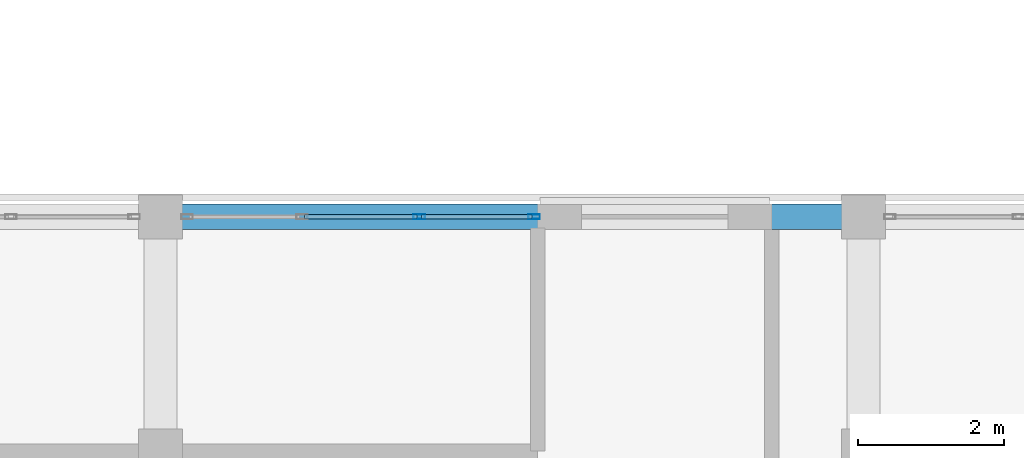
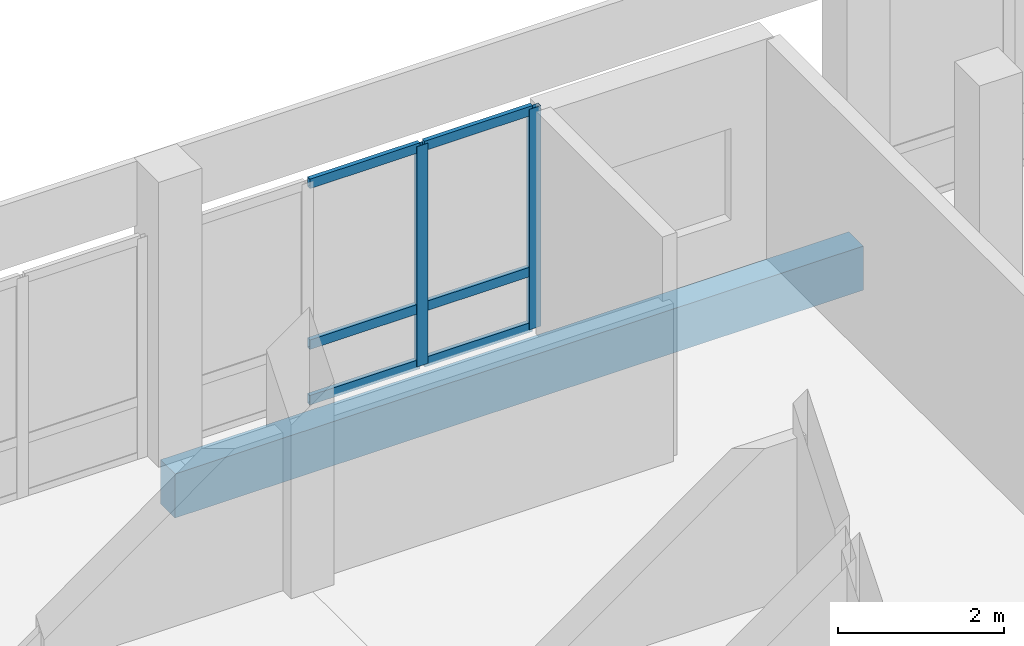
# One storey, part 101 of 185: 8 members, 1 beam, 1 element without a shape of its own.
"""IFC4 building model written with IfcOpenShell, lengths in metres."""

from ifc_helpers import new_model, si_unit, direction, frame, origin, origin_2d, place, context, subcontext, project, spatial, rectangle, hollow_rectangle, extrude, material, material_profile, profile_set, type_object, element, aggregate, save


model = new_model("IFC4")

# Units and contexts
model_context = context("Model", 3, precision=1e-05, world=origin(), true_north=direction((0.0, 1.0)))
body_context = subcontext(model_context, "Body", "Model", "MODEL_VIEW")
ifc_project = project(units=[si_unit("LENGTHUNIT", "METRE"), si_unit("AREAUNIT", "SQUARE_METRE"), si_unit("VOLUMEUNIT", "CUBIC_METRE"), si_unit("PLANEANGLEUNIT", "RADIAN"), si_unit("MASSUNIT", "GRAM", prefix="KILO")], contexts=[model_context])

# Site, building, storey
site_placement = place(None, origin())
site = spatial("IfcSite", under=ifc_project, at=site_placement, CompositionType="ELEMENT")
building_placement = place(site_placement, origin())
building = spatial("IfcBuilding", under=site, at=building_placement, Name="Vondelvale Polytechnic", CompositionType="ELEMENT")
storey_placement = place(building_placement, frame((0.0, 0.0, 9.60009765625)))
storey = spatial("IfcBuildingStorey", under=building, at=storey_placement, Name="L02", CompositionType="ELEMENT", Elevation=9.60009765625)

# Curtain wall, members
ifc_material_1 = material(Name="Anodised extruded aluminium 6063-T6", Category="aluminium")
curtain_wall_type = type_object("IfcCurtainWallType", Name="CW-STUDIO-NORTH", PredefinedType="NOTDEFINED", material=ifc_material_1)
curtain_wall_placement = place(storey_placement, origin())
curtain_wall = element("IfcCurtainWall", 1, at=curtain_wall_placement, inside=storey, type_object=curtain_wall_type, Name="L02 architectural curtain wall CW-01-066", PredefinedType="NOTDEFINED")
ifc_material_profile_1 = material_profile(ifc_material_1, hollow_rectangle(XDim=0.06494140625, YDim=0.159912109375, WallThickness=0.0048828125, at=origin_2d()), Name="CW-MUL-160x65")
ifc_profile_set_1 = profile_set([ifc_material_profile_1], Name="Anodised extruded aluminium 6063-T6")
member_type_1 = type_object("IfcMemberType", Name="CW-MUL-65x160", PredefinedType="MULLION", material=ifc_profile_set_1)
member_1_placement = place(storey_placement, frame((157.13330078125, 30.60009765625, 0.0), z_axis=(0.0, 0.0, 1.0), x_axis=(0.0, 1.0, 0.0)))
member_1 = element("IfcMember", 2, at=member_1_placement, type_object=member_type_1, Name="CW-01-066 mullion 3", PredefinedType="MULLION", context=body_context, shape_type="SweptSolid", body=[
    extrude(hollow_rectangle(XDim=0.06494140625, YDim=0.159912109375, WallThickness=0.0048828125, at=origin_2d()), origin(), (0.0, 0.0, 1.0), 3.25),
])
member_2_placement = place(storey_placement, frame((158.702392578125, 30.60009765625, 0.0), z_axis=(0.0, 0.0, 1.0), x_axis=(0.0, 1.0, 0.0)))
member_2 = element("IfcMember", 3, at=member_2_placement, type_object=member_type_1, Name="CW-01-066 mullion 4", PredefinedType="MULLION", context=body_context, shape_type="SweptSolid", body=[
    extrude(hollow_rectangle(XDim=0.06494140625, YDim=0.159912109375, WallThickness=0.0048828125, at=origin_2d()), origin(), (0.0, 0.0, 1.0), 3.25),
])
ifc_material_profile_2 = material_profile(ifc_material_1, hollow_rectangle(XDim=0.06005859375, YDim=0.139892578125, WallThickness=0.00341796875, at=origin_2d()), Name="CW-TRN-140x60")
ifc_profile_set_2 = profile_set([ifc_material_profile_2], Name="Anodised extruded aluminium 6063-T6")
member_type_2 = type_object("IfcMemberType", Name="CW-TRN-60x140", PredefinedType="USERDEFINED", material=ifc_profile_set_2)
member_3_placement = place(storey_placement, frame((155.564208984375, 30.60009765625, 0.02978515625), z_axis=(1.0, 0.0, 0.0), x_axis=(0.0, 1.0, 0.0)))
member_3 = element("IfcMember", 4, at=member_3_placement, type_object=member_type_2, Name="CW-01-066 transom 2.1", ObjectType="TRANSOM", PredefinedType="USERDEFINED", context=body_context, shape_type="SweptSolid", body=[
    extrude(hollow_rectangle(XDim=0.06005859375, YDim=0.139892578125, WallThickness=0.00341796875, at=origin_2d()), origin(), (0.0, 0.0, 1.0), 1.53662109375),
])
member_4_placement = place(storey_placement, frame((155.564208984375, 30.60009765625, 0.849853515625), z_axis=(1.0, 0.0, 0.0), x_axis=(0.0, 1.0, 0.0)))
member_4 = element("IfcMember", 5, at=member_4_placement, type_object=member_type_2, Name="CW-01-066 transom 2.2", ObjectType="TRANSOM", PredefinedType="USERDEFINED", context=body_context, shape_type="SweptSolid", body=[
    extrude(hollow_rectangle(XDim=0.06005859375, YDim=0.139892578125, WallThickness=0.00341796875, at=origin_2d()), origin(), (0.0, 0.0, 1.0), 1.53662109375),
])
member_5_placement = place(storey_placement, frame((155.564208984375, 30.60009765625, 3.219970703125), z_axis=(1.0, 0.0, 0.0), x_axis=(0.0, 1.0, 0.0)))
member_5 = element("IfcMember", 6, at=member_5_placement, type_object=member_type_2, Name="CW-01-066 transom 2.3", ObjectType="TRANSOM", PredefinedType="USERDEFINED", context=body_context, shape_type="SweptSolid", body=[
    extrude(hollow_rectangle(XDim=0.06005859375, YDim=0.139892578125, WallThickness=0.00341796875, at=origin_2d()), origin(), (0.0, 0.0, 1.0), 1.53662109375),
])
member_6_placement = place(storey_placement, frame((157.165771484375, 30.60009765625, 0.02978515625), z_axis=(1.0, 0.0, 0.0), x_axis=(0.0, 1.0, 0.0)))
member_6 = element("IfcMember", 7, at=member_6_placement, type_object=member_type_2, Name="CW-01-066 transom 3.1", ObjectType="TRANSOM", PredefinedType="USERDEFINED", context=body_context, shape_type="SweptSolid", body=[
    extrude(hollow_rectangle(XDim=0.06005859375, YDim=0.139892578125, WallThickness=0.00341796875, at=origin_2d()), origin(), (0.0, 0.0, 1.0), 1.504150390625),
])
member_7_placement = place(storey_placement, frame((157.165771484375, 30.60009765625, 0.849853515625), z_axis=(1.0, 0.0, 0.0), x_axis=(0.0, 1.0, 0.0)))
member_7 = element("IfcMember", 8, at=member_7_placement, type_object=member_type_2, Name="CW-01-066 transom 3.2", ObjectType="TRANSOM", PredefinedType="USERDEFINED", context=body_context, shape_type="SweptSolid", body=[
    extrude(hollow_rectangle(XDim=0.06005859375, YDim=0.139892578125, WallThickness=0.00341796875, at=origin_2d()), origin(), (0.0, 0.0, 1.0), 1.504150390625),
])
member_8_placement = place(storey_placement, frame((157.165771484375, 30.60009765625, 3.219970703125), z_axis=(1.0, 0.0, 0.0), x_axis=(0.0, 1.0, 0.0)))
member_8 = element("IfcMember", 9, at=member_8_placement, type_object=member_type_2, Name="CW-01-066 transom 3.3", ObjectType="TRANSOM", PredefinedType="USERDEFINED", context=body_context, shape_type="SweptSolid", body=[
    extrude(hollow_rectangle(XDim=0.06005859375, YDim=0.139892578125, WallThickness=0.00341796875, at=origin_2d()), origin(), (0.0, 0.0, 1.0), 1.504150390625),
])
aggregate(curtain_wall, [member_1, member_2, member_3, member_4, member_5, member_6, member_7, member_8])

# Beam
ifc_material_2 = material(Name="Precast concrete N40 (f'c = 40 MPa)", Category="concrete")
ifc_material_profile_3 = material_profile(ifc_material_2, rectangle(XDim=0.35009765625, YDim=0.64990234375, at=origin_2d()), Name="RC-SPN-350x650")
ifc_profile_set_3 = profile_set([ifc_material_profile_3], Name="Precast concrete N40 (f'c = 40 MPa)")
beam_type = type_object("IfcBeamType", Name="SPN-PRE350x650", PredefinedType="SPANDREL", material=ifc_profile_set_3)
beam_placement = place(storey_placement, frame((153.60009765625, 30.60009765625, -0.60498046875), z_axis=(1.0, 0.0, 0.0), x_axis=(0.0, 1.0, 0.0)))
element("IfcBeam", 10, at=beam_placement, inside=storey, type_object=beam_type, Name="L02 B SP-02", PredefinedType="SPANDREL", context=body_context, shape_type="SweptSolid", body=[
    extrude(rectangle(XDim=0.35009765625, YDim=0.64990234375, at=origin_2d()), origin(), (0.0, 0.0, 1.0), 9.599853515625),
])

save(model, "model.ifc")
